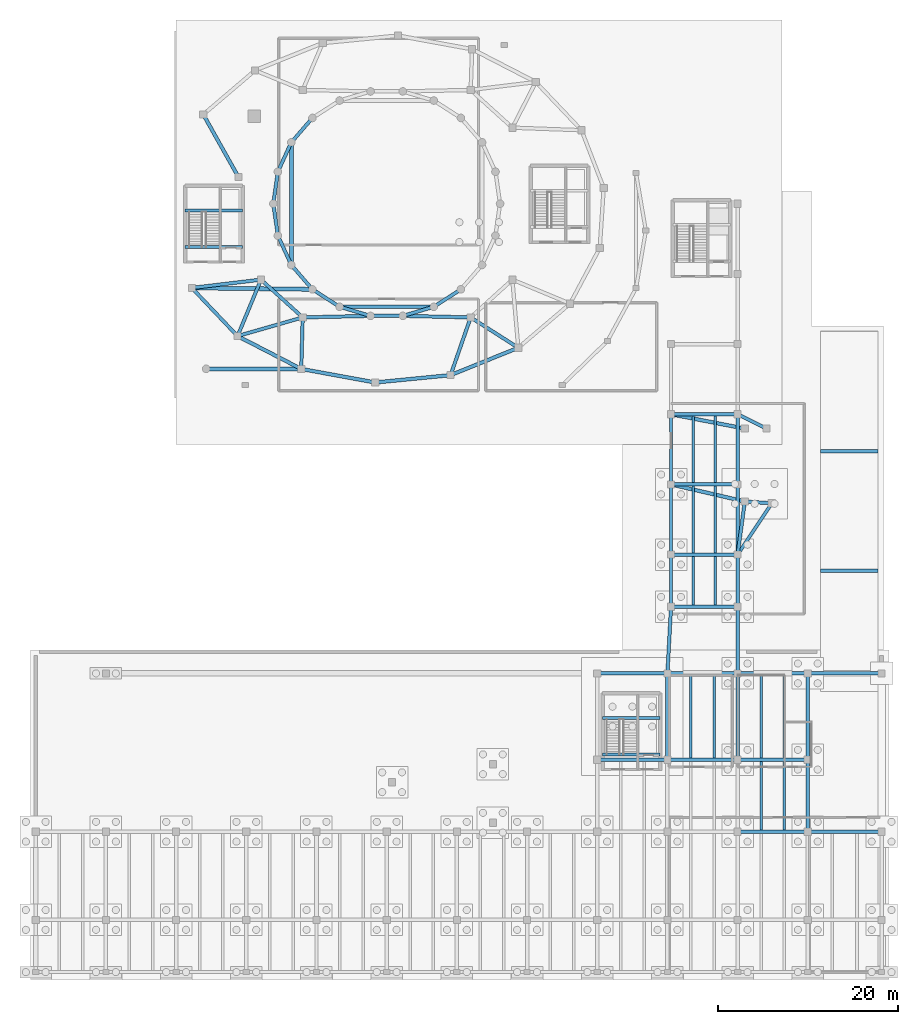
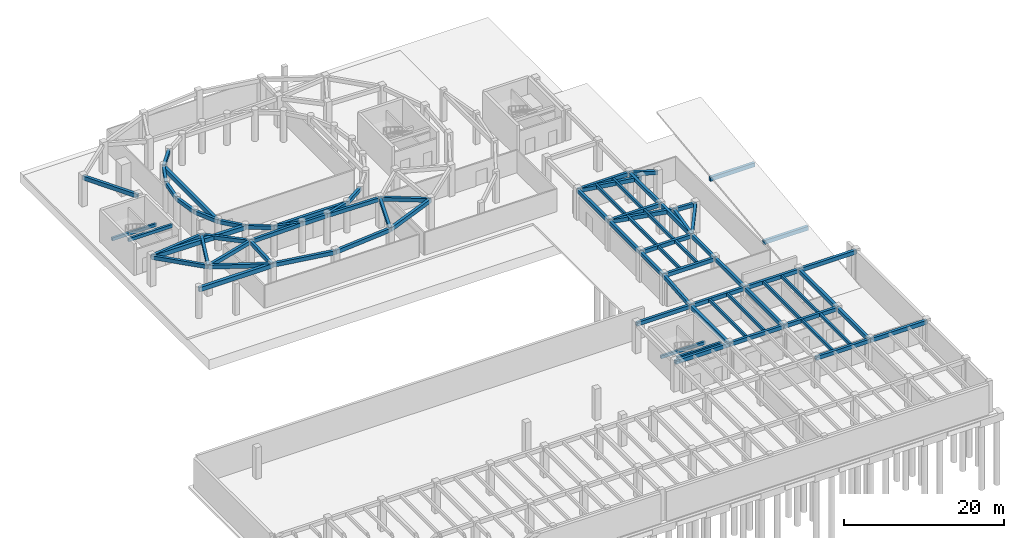
# One storey, part 4 of 11: 79 beams.
"""IFC4 building model written with IfcOpenShell, lengths in metres."""

from ifc_helpers import new_model, si_unit, direction, frame, origin, origin_2d, place, context, subcontext, project, spatial, rectangle, extrude, material, material_profile, profile_set, type_object, element, save


model = new_model("IFC4")

# Units and contexts
model_context = context("Model", 3, precision=1e-05, world=origin(), true_north=direction((0.0, 1.0)))
body_context = subcontext(model_context, "Body", "Model", "MODEL_VIEW")
ifc_project = project(units=[si_unit("LENGTHUNIT", "METRE"), si_unit("AREAUNIT", "SQUARE_METRE"), si_unit("VOLUMEUNIT", "CUBIC_METRE"), si_unit("PLANEANGLEUNIT", "RADIAN"), si_unit("MASSUNIT", "GRAM", prefix="KILO")], contexts=[model_context])

# Site, building, storey
site_placement = place(None, origin())
site = spatial("IfcSite", under=ifc_project, at=site_placement, CompositionType="ELEMENT")
building_placement = place(site_placement, origin())
building = spatial("IfcBuilding", under=site, at=building_placement, Name="Pelvatis Terrace Science Centre", CompositionType="ELEMENT")
storey_placement = place(building_placement, frame((0.0, 0.0, -4.800048828125)))
storey = spatial("IfcBuildingStorey", under=building, at=storey_placement, Name="B01", CompositionType="ELEMENT", Elevation=-4.800048828125)

# Beams
ifc_material_1 = material(Name="Concrete C35/45", Category="concrete")
ifc_material_profile_1 = material_profile(ifc_material_1, rectangle(XDim=0.300048828125, YDim=0.449951171875, at=origin_2d()), Name="RC-BM 300x450")
ifc_profile_set_1 = profile_set([ifc_material_profile_1], Name="Concrete C35/45")
beam_type_1 = type_object("IfcBeamType", Name="BM-RC-300x450", PredefinedType="BEAM", material=ifc_profile_set_1)
beam_1_placement = place(storey_placement, frame((86.800048828125, 85.050048828125, 1.97509765625), z_axis=(1.0, 0.0, 0.0), x_axis=(0.0, 1.0, 0.0)))
element("IfcBeam", 1, at=beam_1_placement, inside=storey, type_object=beam_type_1, Name="Core C1 half-landing beam (B01)", PredefinedType="BEAM", context=body_context, shape_type="SweptSolid", body=[
    extrude(rectangle(XDim=0.300048828125, YDim=0.449951171875, at=origin_2d()), origin(), (0.0, 0.0, 1.0), 6.39990234375),
])
beam_2_placement = place(storey_placement, frame((133.199951171875, 28.64990234375, 1.97509765625), z_axis=(1.0, 0.0, 0.0), x_axis=(0.0, 1.0, 0.0)))
element("IfcBeam", 2, at=beam_2_placement, inside=storey, type_object=beam_type_1, Name="Core C4 half-landing beam (B01)", PredefinedType="BEAM", context=body_context, shape_type="SweptSolid", body=[
    extrude(rectangle(XDim=0.300048828125, YDim=0.449951171875, at=origin_2d()), origin(), (0.0, 0.0, 1.0), 6.400146484375),
])
ifc_material_2 = material(Name="Concrete C35/45", Category="concrete")
ifc_material_profile_2 = material_profile(ifc_material_2, rectangle(XDim=0.320068359375, YDim=0.47998046875, at=origin_2d()), Name="RC-BM 320x480")
ifc_profile_set_2 = profile_set([ifc_material_profile_2], Name="Concrete C35/45")
beam_type_2 = type_object("IfcBeamType", Name="BM-RC-320x480", PredefinedType="BEAM", material=ifc_profile_set_2)
beam_3_placement = place(storey_placement, frame((86.800048828125, 81.0, 4.300048828125), z_axis=(1.0, 0.0, 0.0), x_axis=(0.0, 1.0, 0.0)))
element("IfcBeam", 3, at=beam_3_placement, inside=storey, type_object=beam_type_2, Name="Core C1 stair header beam (B01)", PredefinedType="BEAM", context=body_context, shape_type="SweptSolid", body=[
    extrude(rectangle(XDim=0.320068359375, YDim=0.47998046875, at=origin_2d()), origin(), (0.0, 0.0, 1.0), 6.39990234375),
])
beam_4_placement = place(storey_placement, frame((133.199951171875, 24.60009765625, 4.300048828125), z_axis=(1.0, 0.0, 0.0), x_axis=(0.0, 1.0, 0.0)))
element("IfcBeam", 4, at=beam_4_placement, inside=storey, type_object=beam_type_2, Name="Core C4 stair header beam (B01)", PredefinedType="BEAM", context=body_context, shape_type="SweptSolid", body=[
    extrude(rectangle(XDim=0.320068359375, YDim=0.47998046875, at=origin_2d()), origin(), (0.0, 0.0, 1.0), 6.400146484375),
])
ifc_material_3 = material(Name="Concrete C35/45", Category="concrete")
ifc_material_profile_3 = material_profile(ifc_material_3, rectangle(XDim=0.3798828125, YDim=0.580078125, at=origin_2d()), Name="RC-BM 380x580")
ifc_profile_set_3 = profile_set([ifc_material_profile_3], Name="Concrete C35/45")
beam_type_3 = type_object("IfcBeamType", Name="BM-RC-380x580", PredefinedType="BEAM", material=ifc_profile_set_3)
beam_5_placement = place(storey_placement, frame((100.94873046875, 95.322509765625, 4.22998046875), z_axis=(-0.654863153819, -0.755747477515, 0.0), x_axis=(0.755747477515, -0.654863153819, 0.0)))
element("IfcBeam", 5, at=beam_5_placement, inside=storey, type_object=beam_type_3, Name="Beam BM-B01-2014", PredefinedType="BEAM", context=body_context, shape_type="SweptSolid", body=[
    extrude(rectangle(XDim=0.3798828125, YDim=0.580078125, at=origin_2d()), origin(), (0.0, 0.0, 1.0), 3.58642578125),
])
for number, where, z_axis, x_axis, name in (
    (6, (98.60009765625, 92.612060546875, 4.22998046875), (-0.41540256811, -0.909637678643, 0.0), (0.909637678643, -0.41540256811, 0.0), "Beam BM-B01-2015"),
    (7, (97.1103515625, 89.349853515625, 4.22998046875), (-0.142279062089, -0.98982658506, 0.0), (0.98982658506, -0.142279062089, 0.0), "Beam BM-B01-2017"),
    (8, (96.60009765625, 85.800048828125, 4.22998046875), (0.142279062089, -0.98982658506, 0.0), (0.98982658506, 0.142279062089, 0.0), "Beam BM-B01-2018"),
):
    element("IfcBeam", number, at=place(storey_placement, frame(where, z_axis=z_axis, x_axis=x_axis)), inside=storey, type_object=beam_type_3, Name=name, PredefinedType="BEAM", context=body_context, shape_type="SweptSolid", body=[
        extrude(rectangle(XDim=0.3798828125, YDim=0.580078125, at=origin_2d()), origin(), (0.0, 0.0, 1.0), 3.586181640625),
    ])
beam_6_placement = place(storey_placement, frame((97.1103515625, 82.250244140625, 4.22998046875), z_axis=(0.415376845768, -0.909649424778, 0.0), x_axis=(0.909649424778, 0.415376845768, 0.0)))
element("IfcBeam", 9, at=beam_6_placement, inside=storey, type_object=beam_type_3, Name="Beam BM-B01-2019", PredefinedType="BEAM", context=body_context, shape_type="SweptSolid", body=[
    extrude(rectangle(XDim=0.3798828125, YDim=0.580078125, at=origin_2d()), origin(), (0.0, 0.0, 1.0), 3.58642578125),
])
beam_7_placement = place(storey_placement, frame((98.60009765625, 78.98779296875, 4.22998046875), z_axis=(0.654896845036, -0.755718282406, 0.0), x_axis=(0.755718282406, 0.654896845036, 0.0)))
element("IfcBeam", 10, at=beam_7_placement, inside=storey, type_object=beam_type_3, Name="Beam BM-B01-2020", PredefinedType="BEAM", context=body_context, shape_type="SweptSolid", body=[
    extrude(rectangle(XDim=0.3798828125, YDim=0.580078125, at=origin_2d()), origin(), (0.0, 0.0, 1.0), 3.586181640625),
])
beam_8_placement = place(storey_placement, frame((100.94873046875, 76.277587890625, 4.22998046875), z_axis=(0.841253667692, -0.540640607607, 0.0), x_axis=(0.540640607607, 0.841253667692, 0.0)))
element("IfcBeam", 11, at=beam_8_placement, inside=storey, type_object=beam_type_3, Name="Beam BM-B01-2021", PredefinedType="BEAM", context=body_context, shape_type="SweptSolid", body=[
    extrude(rectangle(XDim=0.3798828125, YDim=0.580078125, at=origin_2d()), origin(), (0.0, 0.0, 1.0), 3.58642578125),
])
beam_9_placement = place(storey_placement, frame((103.9658203125, 74.338623046875, 4.22998046875), z_axis=(0.959481412085, -0.281771928808, 0.0), x_axis=(0.281771928808, 0.959481412085, 0.0)))
element("IfcBeam", 12, at=beam_9_placement, inside=storey, type_object=beam_type_3, Name="Beam BM-B01-2023", PredefinedType="BEAM", context=body_context, shape_type="SweptSolid", body=[
    extrude(rectangle(XDim=0.3798828125, YDim=0.580078125, at=origin_2d()), origin(), (0.0, 0.0, 1.0), 3.586181640625),
])
beam_10_placement = place(storey_placement, frame((107.40673828125, 73.328125, 4.22998046875), z_axis=(1.0, 0.0, 0.0), x_axis=(0.0, 1.0, 0.0)))
element("IfcBeam", 13, at=beam_10_placement, inside=storey, type_object=beam_type_3, Name="Beam BM-B01-2025", PredefinedType="BEAM", context=body_context, shape_type="SweptSolid", body=[
    extrude(rectangle(XDim=0.3798828125, YDim=0.580078125, at=origin_2d()), origin(), (0.0, 0.0, 1.0), 3.58642578125),
])
beam_11_placement = place(storey_placement, frame((107.40673828125, 73.328125, 4.22998046875), z_axis=(-0.999756283601, -0.022076535063, 0.0), x_axis=(0.022076535063, -0.999756283601, 0.0)))
element("IfcBeam", 14, at=beam_11_placement, inside=storey, type_object=beam_type_3, Name="Beam BM-B01-2026", PredefinedType="BEAM", context=body_context, shape_type="SweptSolid", body=[
    extrude(rectangle(XDim=0.3798828125, YDim=0.580078125, at=origin_2d()), origin(), (0.0, 0.0, 1.0), 7.542236328125),
])
beam_12_placement = place(storey_placement, frame((110.9931640625, 73.328125, 4.22998046875), z_axis=(0.959481412085, 0.281771928808, 0.0), x_axis=(-0.281771928808, 0.959481412085, 0.0)))
element("IfcBeam", 15, at=beam_12_placement, inside=storey, type_object=beam_type_3, Name="Beam BM-B01-2027", PredefinedType="BEAM", context=body_context, shape_type="SweptSolid", body=[
    extrude(rectangle(XDim=0.3798828125, YDim=0.580078125, at=origin_2d()), origin(), (0.0, 0.0, 1.0), 3.586181640625),
])
beam_13_placement = place(storey_placement, frame((110.9931640625, 73.328125, 4.22998046875), z_axis=(0.999756299377, -0.022075820636, 0.0), x_axis=(0.022075820636, 0.999756299377, 0.0)))
element("IfcBeam", 16, at=beam_13_placement, inside=storey, type_object=beam_type_3, Name="Beam BM-B01-2028", PredefinedType="BEAM", context=body_context, shape_type="SweptSolid", body=[
    extrude(rectangle(XDim=0.3798828125, YDim=0.580078125, at=origin_2d()), origin(), (0.0, 0.0, 1.0), 7.54248046875),
])
beam_14_placement = place(storey_placement, frame((114.43408203125, 74.338623046875, 4.22998046875), z_axis=(0.841253667692, 0.540640607607, 0.0), x_axis=(-0.540640607607, 0.841253667692, 0.0)))
element("IfcBeam", 17, at=beam_14_placement, inside=storey, type_object=beam_type_3, Name="Beam BM-B01-2029", PredefinedType="BEAM", context=body_context, shape_type="SweptSolid", body=[
    extrude(rectangle(XDim=0.3798828125, YDim=0.580078125, at=origin_2d()), origin(), (0.0, 0.0, 1.0), 3.58642578125),
])
beam_15_placement = place(storey_placement, frame((87.548583984375, 76.43798828125, 4.22998046875), z_axis=(0.688284988325, -0.725440400616, 0.0), x_axis=(0.725440400616, 0.688284988325, 0.0)))
element("IfcBeam", 18, at=beam_15_placement, inside=storey, type_object=beam_type_3, Name="Beam BM-B01-2048", PredefinedType="BEAM", context=body_context, shape_type="SweptSolid", body=[
    extrude(rectangle(XDim=0.3798828125, YDim=0.580078125, at=origin_2d()), origin(), (0.0, 0.0, 1.0), 7.37890625),
])
beam_16_placement = place(storey_placement, frame((87.548583984375, 76.43798828125, 4.22998046875), z_axis=(0.992948179186, 0.118549202657, 0.0), x_axis=(-0.118549202657, 0.992948179186, 0.0)))
element("IfcBeam", 19, at=beam_16_placement, inside=storey, type_object=beam_type_3, Name="Beam BM-B01-2049", PredefinedType="BEAM", context=body_context, shape_type="SweptSolid", body=[
    extrude(rectangle(XDim=0.3798828125, YDim=0.580078125, at=origin_2d()), origin(), (0.0, 0.0, 1.0), 7.737060546875),
])
beam_17_placement = place(storey_placement, frame((92.62744140625, 71.0849609375, 4.22998046875), z_axis=(0.383504415053, 0.923539042832, 0.0), x_axis=(-0.923539042832, 0.383504415053, 0.0)))
element("IfcBeam", 20, at=beam_17_placement, inside=storey, type_object=beam_type_3, Name="Beam BM-B01-2051", PredefinedType="BEAM", context=body_context, shape_type="SweptSolid", body=[
    extrude(rectangle(XDim=0.3798828125, YDim=0.580078125, at=origin_2d()), origin(), (0.0, 0.0, 1.0), 6.789306640625),
])
beam_18_placement = place(storey_placement, frame((92.62744140625, 71.0849609375, 4.22998046875), z_axis=(0.961229800433, 0.275748564382, 0.0), x_axis=(-0.275748564382, 0.961229800433, 0.0)))
element("IfcBeam", 21, at=beam_18_placement, inside=storey, type_object=beam_type_3, Name="Beam BM-B01-2052", PredefinedType="BEAM", context=body_context, shape_type="SweptSolid", body=[
    extrude(rectangle(XDim=0.3798828125, YDim=0.580078125, at=origin_2d()), origin(), (0.0, 0.0, 1.0), 7.531005859375),
])
beam_19_placement = place(storey_placement, frame((99.705078125, 67.434326171875, 4.22998046875), z_axis=(0.028165640532, 0.999603269649, 0.0), x_axis=(-0.999603269649, 0.028165640532, 0.0)))
element("IfcBeam", 22, at=beam_19_placement, inside=storey, type_object=beam_type_3, Name="Beam BM-B01-2054", PredefinedType="BEAM", context=body_context, shape_type="SweptSolid", body=[
    extrude(rectangle(XDim=0.3798828125, YDim=0.580078125, at=origin_2d()), origin(), (0.0, 0.0, 1.0), 5.7294921875),
])
beam_20_placement = place(storey_placement, frame((116.3046875, 66.743408203125, 4.22998046875), z_axis=(0.328071814406, 0.944652785203, 0.0), x_axis=(-0.944652785203, 0.328071814406, 0.0)))
element("IfcBeam", 23, at=beam_20_placement, inside=storey, type_object=beam_type_3, Name="Beam BM-B01-2057", PredefinedType="BEAM", context=body_context, shape_type="SweptSolid", body=[
    extrude(rectangle(XDim=0.3798828125, YDim=0.580078125, at=origin_2d()), origin(), (0.0, 0.0, 1.0), 6.794189453125),
])
beam_21_placement = place(storey_placement, frame((123.82421875, 69.786376953125, 4.22998046875), z_axis=(-0.843044192258, 0.537844298937, 0.0), x_axis=(-0.537844298937, -0.843044192258, 0.0)))
element("IfcBeam", 24, at=beam_21_placement, inside=storey, type_object=beam_type_3, Name="Beam BM-B01-2059", PredefinedType="BEAM", context=body_context, shape_type="SweptSolid", body=[
    extrude(rectangle(XDim=0.3798828125, YDim=0.580078125, at=origin_2d()), origin(), (0.0, 0.0, 1.0), 6.275390625),
])
beam_22_placement = place(storey_placement, frame((95.231201171875, 77.355224609375, 4.22998046875), z_axis=(0.741551509184, -0.670895937704, 0.0), x_axis=(0.670895937704, 0.741551509184, 0.0)))
element("IfcBeam", 25, at=beam_22_placement, inside=storey, type_object=beam_type_3, Name="Beam BM-B01-2064", PredefinedType="BEAM", context=body_context, shape_type="SweptSolid", body=[
    extrude(rectangle(XDim=0.3798828125, YDim=0.580078125, at=origin_2d()), origin(), (0.0, 0.0, 1.0), 6.250732421875),
])
for number, where, z_axis, x_axis, name in (
    (26, (132.60009765625, 24.0, 4.22998046875), (1.0, 0.0, 0.0), (0.0, 1.0, 0.0), "Beam BM-B01-2118"),
    (27, (132.60009765625, 33.60009765625, 4.22998046875), (1.0, 0.0, 0.0), (0.0, 1.0, 0.0), "Beam BM-B01-2119"),
):
    element("IfcBeam", number, at=place(storey_placement, frame(where, z_axis=z_axis, x_axis=x_axis)), inside=storey, type_object=beam_type_3, Name=name, PredefinedType="BEAM", context=body_context, shape_type="SweptSolid", body=[
        extrude(rectangle(XDim=0.3798828125, YDim=0.580078125, at=origin_2d()), origin(), (0.0, 0.0, 1.0), 7.7998046875),
    ])
for number, where, z_axis, x_axis, name in (
    (28, (140.39990234375, 24.0, 4.22998046875), (1.0, 0.0, 0.0), (0.0, 1.0, 0.0), "Beam BM-B01-2127"),
    (29, (140.39990234375, 33.60009765625, 4.22998046875), (1.0, 0.0, 0.0), (0.0, 1.0, 0.0), "Beam BM-B01-2128"),
):
    element("IfcBeam", number, at=place(storey_placement, frame(where, z_axis=z_axis, x_axis=x_axis)), inside=storey, type_object=beam_type_3, Name=name, PredefinedType="BEAM", context=body_context, shape_type="SweptSolid", body=[
        extrude(rectangle(XDim=0.3798828125, YDim=0.580078125, at=origin_2d()), origin(), (0.0, 0.0, 1.0), 7.800048828125),
    ])
beam_23_placement = place(storey_placement, frame((140.39990234375, 33.60009765625, 4.22998046875), z_axis=(0.05399567722, 0.998541169327, 0.0), x_axis=(-0.998541169327, 0.05399567722, 0.0)))
element("IfcBeam", 30, at=beam_23_placement, inside=storey, type_object=beam_type_3, Name="Beam BM-B01-2129", PredefinedType="BEAM", context=body_context, shape_type="SweptSolid", body=[
    extrude(rectangle(XDim=0.3798828125, YDim=0.580078125, at=origin_2d()), origin(), (0.0, 0.0, 1.0), 7.41064453125),
])
for number, where, z_axis, x_axis, name in (
    (31, (148.199951171875, 16.0, 4.22998046875), (1.0, 0.0, 0.0), (0.0, 1.0, 0.0), "Beam BM-B01-2135"),
    (32, (148.199951171875, 24.0, 4.22998046875), (1.0, 0.0, 0.0), (0.0, 1.0, 0.0), "Beam BM-B01-2137"),
    (33, (148.199951171875, 33.60009765625, 4.22998046875), (1.0, 0.0, 0.0), (0.0, 1.0, 0.0), "Beam BM-B01-2138"),
):
    element("IfcBeam", number, at=place(storey_placement, frame(where, z_axis=z_axis, x_axis=x_axis)), inside=storey, type_object=beam_type_3, Name=name, PredefinedType="BEAM", context=body_context, shape_type="SweptSolid", body=[
        extrude(rectangle(XDim=0.3798828125, YDim=0.580078125, at=origin_2d()), origin(), (0.0, 0.0, 1.0), 7.800048828125),
    ])
beam_24_placement = place(storey_placement, frame((148.199951171875, 33.60009765625, 4.22998046875), z_axis=(0.0, 1.0, 0.0), x_axis=(-1.0, 0.0, 0.0)))
element("IfcBeam", 34, at=beam_24_placement, inside=storey, type_object=beam_type_3, Name="Beam BM-B01-2139", PredefinedType="BEAM", context=body_context, shape_type="SweptSolid", body=[
    extrude(rectangle(XDim=0.3798828125, YDim=0.580078125, at=origin_2d()), origin(), (0.0, 0.0, 1.0), 7.39990234375),
])
beam_25_placement = place(storey_placement, frame((140.800048828125, 41.0, 4.22998046875), z_axis=(0.0, 1.0, 0.0), x_axis=(-1.0, 0.0, 0.0)))
element("IfcBeam", 35, at=beam_25_placement, inside=storey, type_object=beam_type_3, Name="Beam BM-B01-2150", PredefinedType="BEAM", context=body_context, shape_type="SweptSolid", body=[
    extrude(rectangle(XDim=0.3798828125, YDim=0.580078125, at=origin_2d()), origin(), (0.0, 0.0, 1.0), 5.800048828125),
])
beam_26_placement = place(storey_placement, frame((140.800048828125, 41.0, 4.22998046875), z_axis=(1.0, 0.0, 0.0), x_axis=(0.0, 1.0, 0.0)))
element("IfcBeam", 36, at=beam_26_placement, inside=storey, type_object=beam_type_3, Name="Beam BM-B01-2151", PredefinedType="BEAM", context=body_context, shape_type="SweptSolid", body=[
    extrude(rectangle(XDim=0.3798828125, YDim=0.580078125, at=origin_2d()), origin(), (0.0, 0.0, 1.0), 7.39990234375),
])
beam_27_placement = place(storey_placement, frame((140.800048828125, 46.800048828125, 4.22998046875), z_axis=(0.0, 1.0, 0.0), x_axis=(-1.0, 0.0, 0.0)))
element("IfcBeam", 37, at=beam_27_placement, inside=storey, type_object=beam_type_3, Name="Beam BM-B01-2152", PredefinedType="BEAM", context=body_context, shape_type="SweptSolid", body=[
    extrude(rectangle(XDim=0.3798828125, YDim=0.580078125, at=origin_2d()), origin(), (0.0, 0.0, 1.0), 7.800048828125),
])
beam_28_placement = place(storey_placement, frame((140.800048828125, 46.800048828125, 4.22998046875), z_axis=(1.0, 0.0, 0.0), x_axis=(0.0, 1.0, 0.0)))
element("IfcBeam", 38, at=beam_28_placement, inside=storey, type_object=beam_type_3, Name="Beam BM-B01-2153", PredefinedType="BEAM", context=body_context, shape_type="SweptSolid", body=[
    extrude(rectangle(XDim=0.3798828125, YDim=0.580078125, at=origin_2d()), origin(), (0.0, 0.0, 1.0), 7.39990234375),
])
beam_29_placement = place(storey_placement, frame((140.800048828125, 54.60009765625, 4.22998046875), z_axis=(0.0, 1.0, 0.0), x_axis=(-1.0, 0.0, 0.0)))
element("IfcBeam", 39, at=beam_29_placement, inside=storey, type_object=beam_type_3, Name="Beam BM-B01-2154", PredefinedType="BEAM", context=body_context, shape_type="SweptSolid", body=[
    extrude(rectangle(XDim=0.3798828125, YDim=0.580078125, at=origin_2d()), origin(), (0.0, 0.0, 1.0), 7.7998046875),
])
for number, where, z_axis, x_axis, name in (
    (40, (140.800048828125, 54.60009765625, 4.22998046875), (1.0, 0.0, 0.0), (0.0, 1.0, 0.0), "Beam BM-B01-2155"),
    (41, (140.800048828125, 62.39990234375, 4.22998046875), (1.0, 0.0, 0.0), (0.0, 1.0, 0.0), "Beam BM-B01-2158"),
):
    element("IfcBeam", number, at=place(storey_placement, frame(where, z_axis=z_axis, x_axis=x_axis)), inside=storey, type_object=beam_type_3, Name=name, PredefinedType="BEAM", context=body_context, shape_type="SweptSolid", body=[
        extrude(rectangle(XDim=0.3798828125, YDim=0.580078125, at=origin_2d()), origin(), (0.0, 0.0, 1.0), 7.39990234375),
    ])
beam_30_placement = place(storey_placement, frame((148.199951171875, 41.0, 4.22998046875), z_axis=(0.0, 1.0, 0.0), x_axis=(-1.0, 0.0, 0.0)))
element("IfcBeam", 42, at=beam_30_placement, inside=storey, type_object=beam_type_3, Name="Beam BM-B01-2161", PredefinedType="BEAM", context=body_context, shape_type="SweptSolid", body=[
    extrude(rectangle(XDim=0.3798828125, YDim=0.580078125, at=origin_2d()), origin(), (0.0, 0.0, 1.0), 5.800048828125),
])
beam_31_placement = place(storey_placement, frame((148.199951171875, 46.800048828125, 4.22998046875), z_axis=(0.0, 1.0, 0.0), x_axis=(-1.0, 0.0, 0.0)))
element("IfcBeam", 43, at=beam_31_placement, inside=storey, type_object=beam_type_3, Name="Beam BM-B01-2162", PredefinedType="BEAM", context=body_context, shape_type="SweptSolid", body=[
    extrude(rectangle(XDim=0.3798828125, YDim=0.580078125, at=origin_2d()), origin(), (0.0, 0.0, 1.0), 7.800048828125),
])
beam_32_placement = place(storey_placement, frame((148.199951171875, 46.800048828125, 4.22998046875), z_axis=(0.554708420396, 0.832044811499, 0.0), x_axis=(-0.832044811499, 0.554708420396, 0.0)))
element("IfcBeam", 44, at=beam_32_placement, inside=storey, type_object=beam_type_3, Name="Beam BM-B01-2163", PredefinedType="BEAM", context=body_context, shape_type="SweptSolid", body=[
    extrude(rectangle(XDim=0.3798828125, YDim=0.580078125, at=origin_2d()), origin(), (0.0, 0.0, 1.0), 6.8505859375),
])
beam_33_placement = place(storey_placement, frame((148.199951171875, 46.800048828125, 4.22998046875), z_axis=(0.134373909798, 0.990930700082, 0.0), x_axis=(-0.990930700082, 0.134373909798, 0.0)))
element("IfcBeam", 45, at=beam_33_placement, inside=storey, type_object=beam_type_3, Name="Beam BM-B01-2164", PredefinedType="BEAM", context=body_context, shape_type="SweptSolid", body=[
    extrude(rectangle(XDim=0.3798828125, YDim=0.580078125, at=origin_2d()), origin(), (0.0, 0.0, 1.0), 5.953857421875),
])
beam_34_placement = place(storey_placement, frame((148.199951171875, 54.60009765625, 4.22998046875), z_axis=(0.0, 1.0, 0.0), x_axis=(-1.0, 0.0, 0.0)))
element("IfcBeam", 46, at=beam_34_placement, inside=storey, type_object=beam_type_3, Name="Beam BM-B01-2165", PredefinedType="BEAM", context=body_context, shape_type="SweptSolid", body=[
    extrude(rectangle(XDim=0.3798828125, YDim=0.580078125, at=origin_2d()), origin(), (0.0, 0.0, 1.0), 7.7998046875),
])
beam_35_placement = place(storey_placement, frame((148.199951171875, 62.39990234375, 4.22998046875), z_axis=(0.894440838876, -0.447186298707, 0.0), x_axis=(0.447186298707, 0.894440838876, 0.0)))
element("IfcBeam", 47, at=beam_35_placement, inside=storey, type_object=beam_type_3, Name="Beam BM-B01-2167", PredefinedType="BEAM", context=body_context, shape_type="SweptSolid", body=[
    extrude(rectangle(XDim=0.3798828125, YDim=0.580078125, at=origin_2d()), origin(), (0.0, 0.0, 1.0), 3.57763671875),
])
beam_36_placement = place(storey_placement, frame((152.0, 52.5, 4.22998046875), z_axis=(-0.997786235602, 0.066502842363, 0.0), x_axis=(-0.066502842363, -0.997786235602, 0.0)))
element("IfcBeam", 48, at=beam_36_placement, inside=storey, type_object=beam_type_3, Name="Beam BM-B01-2170", PredefinedType="BEAM", context=body_context, shape_type="SweptSolid", body=[
    extrude(rectangle(XDim=0.3798828125, YDim=0.580078125, at=origin_2d()), origin(), (0.0, 0.0, 1.0), 3.006591796875),
])
ifc_material_4 = material(Name="Concrete C35/45", Category="concrete")
ifc_material_profile_4 = material_profile(ifc_material_4, rectangle(XDim=0.39990234375, YDim=0.60009765625, at=origin_2d()), Name="RC-BM 400x600")
ifc_profile_set_4 = profile_set([ifc_material_profile_4], Name="Concrete C35/45")
beam_type_4 = type_object("IfcBeamType", Name="BM-RC-400x600", PredefinedType="BEAM", material=ifc_profile_set_4)
beam_37_placement = place(storey_placement, frame((103.9658203125, 74.338623046875, 4.219970703125), z_axis=(1.0, 0.0, 0.0), x_axis=(0.0, 1.0, 0.0)))
element("IfcBeam", 49, at=beam_37_placement, inside=storey, type_object=beam_type_4, Name="Beam BM-B01-2024", PredefinedType="BEAM", context=body_context, shape_type="SweptSolid", body=[
    extrude(rectangle(XDim=0.39990234375, YDim=0.60009765625, at=origin_2d()), origin(), (0.0, 0.0, 1.0), 10.46826171875),
])
beam_38_placement = place(storey_placement, frame((88.8203125, 95.71142578125, 4.219970703125), z_axis=(0.489826177205, -0.871820116839, 0.0), x_axis=(0.871820116839, 0.489826177205, 0.0)))
element("IfcBeam", 50, at=beam_38_placement, inside=storey, type_object=beam_type_4, Name="Beam BM-B01-2047", PredefinedType="BEAM", context=body_context, shape_type="SweptSolid", body=[
    extrude(rectangle(XDim=0.39990234375, YDim=0.60009765625, at=origin_2d()), origin(), (0.0, 0.0, 1.0), 7.96728515625),
])
beam_39_placement = place(storey_placement, frame((92.62744140625, 71.0849609375, 4.219970703125), z_axis=(0.888740331854, -0.458410975585, 0.0), x_axis=(0.458410975585, 0.888740331854, 0.0)))
element("IfcBeam", 51, at=beam_39_placement, inside=storey, type_object=beam_type_4, Name="Beam BM-B01-2050", PredefinedType="BEAM", context=body_context, shape_type="SweptSolid", body=[
    extrude(rectangle(XDim=0.39990234375, YDim=0.60009765625, at=origin_2d()), origin(), (0.0, 0.0, 1.0), 7.963623046875),
])
beam_40_placement = place(storey_placement, frame((99.705078125, 67.434326171875, 4.219970703125), z_axis=(0.983601549943, -0.180355179991, 0.0), x_axis=(0.180355179991, 0.983601549943, 0.0)))
element("IfcBeam", 52, at=beam_40_placement, inside=storey, type_object=beam_type_4, Name="Beam BM-B01-2053", PredefinedType="BEAM", context=body_context, shape_type="SweptSolid", body=[
    extrude(rectangle(XDim=0.39990234375, YDim=0.60009765625, at=origin_2d()), origin(), (0.0, 0.0, 1.0), 8.3603515625),
])
beam_41_placement = place(storey_placement, frame((107.92822265625, 65.926513671875, 4.219970703125), z_axis=(0.995278325495, 0.097062118249, 0.0), x_axis=(-0.097062118249, 0.995278325495, 0.0)))
element("IfcBeam", 53, at=beam_41_placement, inside=storey, type_object=beam_type_4, Name="Beam BM-B01-2055", PredefinedType="BEAM", context=body_context, shape_type="SweptSolid", body=[
    extrude(rectangle(XDim=0.39990234375, YDim=0.60009765625, at=origin_2d()), origin(), (0.0, 0.0, 1.0), 8.416259765625),
])
beam_42_placement = place(storey_placement, frame((116.3046875, 66.743408203125, 4.219970703125), z_axis=(0.926974722929, 0.375123796967, 0.0), x_axis=(-0.375123796967, 0.926974722929, 0.0)))
element("IfcBeam", 54, at=beam_42_placement, inside=storey, type_object=beam_type_4, Name="Beam BM-B01-2056", PredefinedType="BEAM", context=body_context, shape_type="SweptSolid", body=[
    extrude(rectangle(XDim=0.39990234375, YDim=0.60009765625, at=origin_2d()), origin(), (0.0, 0.0, 1.0), 8.11181640625),
])
for number, where, z_axis, x_axis, name in (
    (55, (140.39990234375, 24.0, 4.219970703125), (0.0, 1.0, 0.0), (-1.0, 0.0, 0.0), "Beam BM-B01-2126"),
    (56, (148.199951171875, 24.0, 4.219970703125), (0.0, 1.0, 0.0), (-1.0, 0.0, 0.0), "Beam BM-B01-2136"),
):
    element("IfcBeam", number, at=place(storey_placement, frame(where, z_axis=z_axis, x_axis=x_axis)), inside=storey, type_object=beam_type_4, Name=name, PredefinedType="BEAM", context=body_context, shape_type="SweptSolid", body=[
        extrude(rectangle(XDim=0.39990234375, YDim=0.60009765625, at=origin_2d()), origin(), (0.0, 0.0, 1.0), 9.60009765625),
    ])
beam_43_placement = place(storey_placement, frame((156.0, 16.0, 4.219970703125), z_axis=(0.0, 1.0, 0.0), x_axis=(-1.0, 0.0, 0.0)))
element("IfcBeam", 57, at=beam_43_placement, inside=storey, type_object=beam_type_4, Name="Beam BM-B01-2144", PredefinedType="BEAM", context=body_context, shape_type="SweptSolid", body=[
    extrude(rectangle(XDim=0.39990234375, YDim=0.60009765625, at=origin_2d()), origin(), (0.0, 0.0, 1.0), 8.0),
])
beam_44_placement = place(storey_placement, frame((156.0, 16.0, 4.219970703125), z_axis=(1.0, 0.0, 0.0), x_axis=(0.0, 1.0, 0.0)))
element("IfcBeam", 58, at=beam_44_placement, inside=storey, type_object=beam_type_4, Name="Beam BM-B01-2145", PredefinedType="BEAM", context=body_context, shape_type="SweptSolid", body=[
    extrude(rectangle(XDim=0.39990234375, YDim=0.60009765625, at=origin_2d()), origin(), (0.0, 0.0, 1.0), 8.199951171875),
])
beam_45_placement = place(storey_placement, frame((156.0, 24.0, 4.219970703125), z_axis=(0.0, 1.0, 0.0), x_axis=(-1.0, 0.0, 0.0)))
element("IfcBeam", 59, at=beam_45_placement, inside=storey, type_object=beam_type_4, Name="Beam BM-B01-2146", PredefinedType="BEAM", context=body_context, shape_type="SweptSolid", body=[
    extrude(rectangle(XDim=0.39990234375, YDim=0.60009765625, at=origin_2d()), origin(), (0.0, 0.0, 1.0), 9.60009765625),
])
beam_46_placement = place(storey_placement, frame((156.0, 33.60009765625, 4.219970703125), z_axis=(1.0, 0.0, 0.0), x_axis=(0.0, 1.0, 0.0)))
element("IfcBeam", 60, at=beam_46_placement, inside=storey, type_object=beam_type_4, Name="Beam BM-B01-2147", PredefinedType="BEAM", context=body_context, shape_type="SweptSolid", body=[
    extrude(rectangle(XDim=0.39990234375, YDim=0.60009765625, at=origin_2d()), origin(), (0.0, 0.0, 1.0), 8.199951171875),
])
beam_47_placement = place(storey_placement, frame((140.800048828125, 54.60009765625, 4.219970703125), z_axis=(0.974186455713, -0.22574487703, 0.0), x_axis=(0.22574487703, 0.974186455713, 0.0)))
element("IfcBeam", 61, at=beam_47_placement, inside=storey, type_object=beam_type_4, Name="Beam BM-B01-2156", PredefinedType="BEAM", context=body_context, shape_type="SweptSolid", body=[
    extrude(rectangle(XDim=0.39990234375, YDim=0.60009765625, at=origin_2d()), origin(), (0.0, 0.0, 1.0), 8.417236328125),
])
beam_48_placement = place(storey_placement, frame((140.800048828125, 62.39990234375, 4.219970703125), z_axis=(0.981493673232, -0.191494567562, 0.0), x_axis=(0.191494567562, 0.981493673232, 0.0)))
element("IfcBeam", 62, at=beam_48_placement, inside=storey, type_object=beam_type_4, Name="Beam BM-B01-2159", PredefinedType="BEAM", context=body_context, shape_type="SweptSolid", body=[
    extrude(rectangle(XDim=0.39990234375, YDim=0.60009765625, at=origin_2d()), origin(), (0.0, 0.0, 1.0), 8.3544921875),
])
for number, where, z_axis, x_axis, name in (
    (63, (157.39990234375, 45.0, 1.050048828125), (1.0, 0.0, 0.0), (0.0, 1.0, 0.0), "Vehicle ramp intermediate support girder 1"),
    (64, (157.39990234375, 58.300048828125, 2.64013671875), (1.0, 0.0, 0.0), (0.0, 1.0, 0.0), "Vehicle ramp intermediate support girder 2"),
):
    element("IfcBeam", number, at=place(storey_placement, frame(where, z_axis=z_axis, x_axis=x_axis)), inside=storey, type_object=beam_type_4, Name=name, PredefinedType="BEAM", context=body_context, shape_type="SweptSolid", body=[
        extrude(rectangle(XDim=0.39990234375, YDim=0.60009765625, at=origin_2d()), origin(), (0.0, 0.0, 1.0), 6.400146484375),
    ])
ifc_material_5 = material(Name="Concrete C35/45", Category="concrete")
ifc_material_profile_5 = material_profile(ifc_material_5, rectangle(XDim=0.449951171875, YDim=0.64990234375, at=origin_2d()), Name="RC-BM 450x650")
ifc_profile_set_5 = profile_set([ifc_material_profile_5], Name="Concrete C35/45")
beam_type_5 = type_object("IfcBeamType", Name="BM-RC-450x650", PredefinedType="BEAM", material=ifc_profile_set_5)
beam_49_placement = place(storey_placement, frame((98.60009765625, 92.612060546875, 4.195068359375), z_axis=(0.0, -1.0, 0.0), x_axis=(1.0, 0.0, 0.0)))
element("IfcBeam", 65, at=beam_49_placement, inside=storey, type_object=beam_type_5, Name="Beam BM-B01-2016", PredefinedType="BEAM", context=body_context, shape_type="SweptSolid", body=[
    extrude(rectangle(XDim=0.449951171875, YDim=0.64990234375, at=origin_2d()), origin(), (0.0, 0.0, 1.0), 13.624267578125),
])
beam_50_placement = place(storey_placement, frame((100.94873046875, 76.277587890625, 4.195068359375), z_axis=(-0.999928366679, 0.011969190098, 0.0), x_axis=(-0.011969190098, -0.999928366679, 0.0)))
element("IfcBeam", 66, at=beam_50_placement, inside=storey, type_object=beam_type_5, Name="Beam BM-B01-2022", PredefinedType="BEAM", context=body_context, shape_type="SweptSolid", body=[
    extrude(rectangle(XDim=0.449951171875, YDim=0.64990234375, at=origin_2d()), origin(), (0.0, 0.0, 1.0), 13.401123046875),
])
beam_51_placement = place(storey_placement, frame((89.132568359375, 67.44775390625, 4.195068359375), z_axis=(0.999999193473, -0.00127006017, 0.0), x_axis=(0.00127006017, 0.999999193473, 0.0)))
element("IfcBeam", 67, at=beam_51_placement, inside=storey, type_object=beam_type_5, Name="Beam BM-B01-2032", PredefinedType="BEAM", context=body_context, shape_type="SweptSolid", body=[
    extrude(rectangle(XDim=0.449951171875, YDim=0.64990234375, at=origin_2d()), origin(), (0.0, 0.0, 1.0), 10.572509765625),
])
ifc_material_6 = material(Name="Concrete C35/45", Category="concrete")
ifc_material_profile_6 = material_profile(ifc_material_6, rectangle(XDim=0.280029296875, YDim=0.43994140625, at=origin_2d()), Name="RC-JST 280x440")
ifc_profile_set_6 = profile_set([ifc_material_profile_6], Name="Concrete C35/45")
beam_type_6 = type_object("IfcBeamType", Name="JST-RC-280x440", PredefinedType="JOIST", material=ifc_profile_set_6)
for number, where, z_axis, x_axis, name in (
    (68, (150.800048828125, 16.18994140625, 4.300048828125), (0.0, 1.0, 0.0), (-1.0, 0.0, 0.0), "Secondary floor joist J-B01-2053"),
    (69, (153.39990234375, 16.18994140625, 4.300048828125), (0.0, 1.0, 0.0), (-1.0, 0.0, 0.0), "Secondary floor joist J-B01-2054"),
):
    element("IfcBeam", number, at=place(storey_placement, frame(where, z_axis=z_axis, x_axis=x_axis)), inside=storey, type_object=beam_type_6, Name=name, PredefinedType="JOIST", context=body_context, shape_type="SweptSolid", body=[
        extrude(rectangle(XDim=0.280029296875, YDim=0.43994140625, at=origin_2d()), origin(), (0.0, 0.0, 1.0), 7.6201171875),
    ])
for number, where, z_axis, x_axis, name in (
    (70, (143.0, 24.18994140625, 4.300048828125), (0.0, 1.0, 0.0), (-1.0, 0.0, 0.0), "Secondary floor joist J-B01-2055"),
    (71, (145.60009765625, 24.18994140625, 4.300048828125), (0.0, 1.0, 0.0), (-1.0, 0.0, 0.0), "Secondary floor joist J-B01-2056"),
    (72, (150.800048828125, 24.18994140625, 4.300048828125), (0.0, 1.0, 0.0), (-1.0, 0.0, 0.0), "Secondary floor joist J-B01-2057"),
    (73, (153.39990234375, 24.18994140625, 4.300048828125), (0.0, 1.0, 0.0), (-1.0, 0.0, 0.0), "Secondary floor joist J-B01-2058"),
):
    element("IfcBeam", number, at=place(storey_placement, frame(where, z_axis=z_axis, x_axis=x_axis)), inside=storey, type_object=beam_type_6, Name=name, PredefinedType="JOIST", context=body_context, shape_type="SweptSolid", body=[
        extrude(rectangle(XDim=0.280029296875, YDim=0.43994140625, at=origin_2d()), origin(), (0.0, 0.0, 1.0), 9.219970703125),
    ])
for number, where, z_axis, x_axis, name in (
    (74, (143.2666015625, 41.18994140625, 4.300048828125), (0.0, 1.0, 0.0), (-1.0, 0.0, 0.0), "Secondary floor joist J-B01-2059"),
    (75, (145.7333984375, 41.18994140625, 4.300048828125), (0.0, 1.0, 0.0), (-1.0, 0.0, 0.0), "Secondary floor joist J-B01-2060"),
):
    element("IfcBeam", number, at=place(storey_placement, frame(where, z_axis=z_axis, x_axis=x_axis)), inside=storey, type_object=beam_type_6, Name=name, PredefinedType="JOIST", context=body_context, shape_type="SweptSolid", body=[
        extrude(rectangle(XDim=0.280029296875, YDim=0.43994140625, at=origin_2d()), origin(), (0.0, 0.0, 1.0), 5.420166015625),
    ])
for number, where, z_axis, x_axis, name in (
    (76, (143.2666015625, 46.989990234375, 4.300048828125), (0.0, 1.0, 0.0), (-1.0, 0.0, 0.0), "Secondary floor joist J-B01-2061"),
    (77, (145.7333984375, 46.989990234375, 4.300048828125), (0.0, 1.0, 0.0), (-1.0, 0.0, 0.0), "Secondary floor joist J-B01-2062"),
    (78, (143.2666015625, 54.7900390625, 4.300048828125), (0.0, 1.0, 0.0), (-1.0, 0.0, 0.0), "Secondary floor joist J-B01-2063"),
    (79, (145.7333984375, 54.7900390625, 4.300048828125), (0.0, 1.0, 0.0), (-1.0, 0.0, 0.0), "Secondary floor joist J-B01-2064"),
):
    element("IfcBeam", number, at=place(storey_placement, frame(where, z_axis=z_axis, x_axis=x_axis)), inside=storey, type_object=beam_type_6, Name=name, PredefinedType="JOIST", context=body_context, shape_type="SweptSolid", body=[
        extrude(rectangle(XDim=0.280029296875, YDim=0.43994140625, at=origin_2d()), origin(), (0.0, 0.0, 1.0), 7.419921875),
    ])

save(model, "model.ifc")
